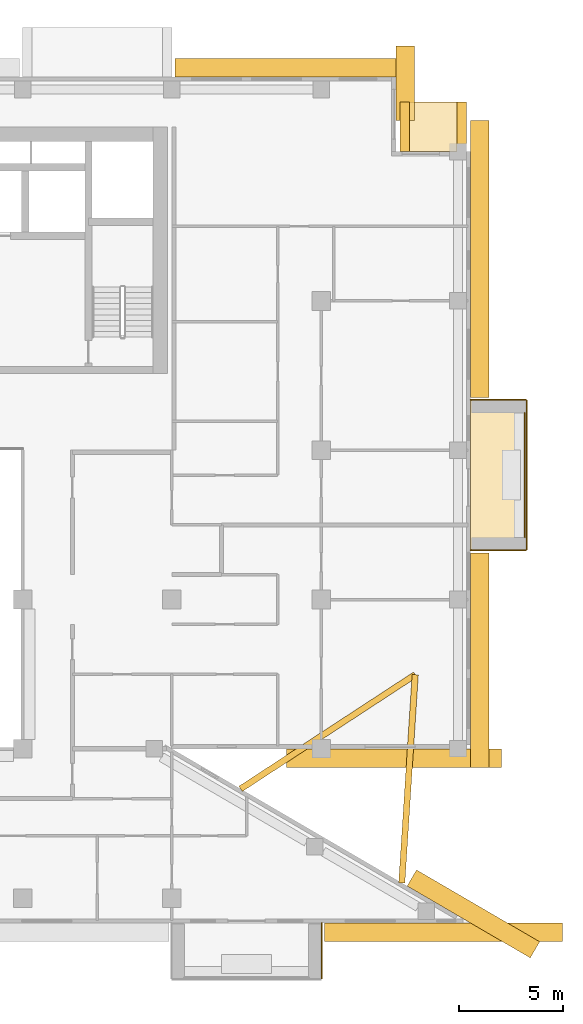
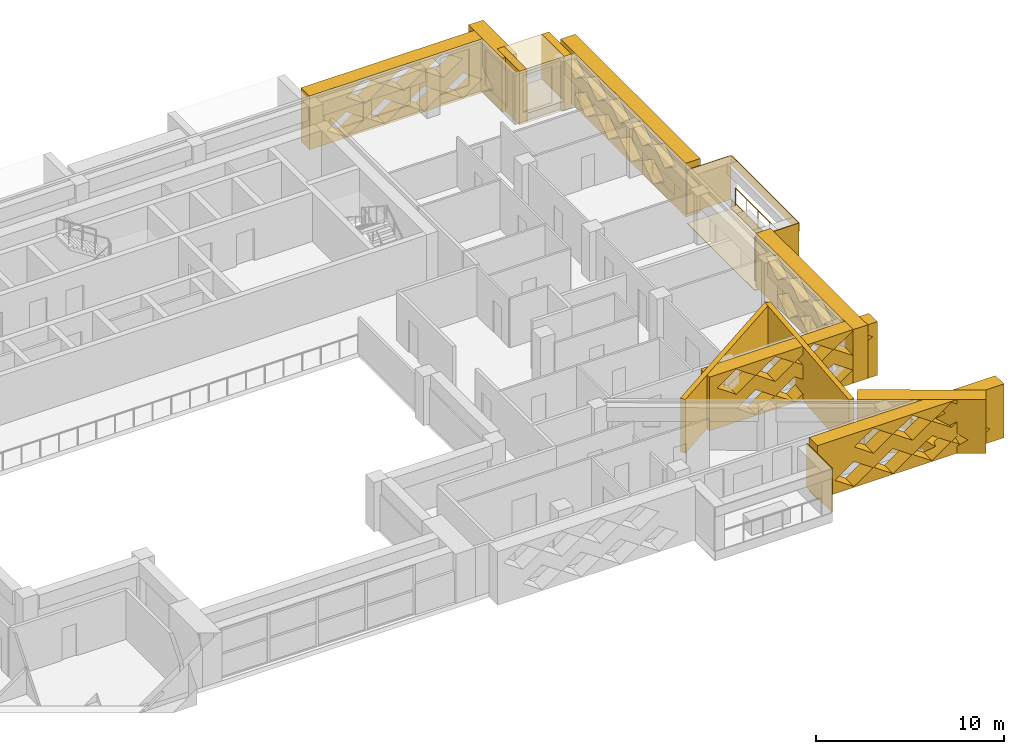
# One storey, part 20 of 20: 19 coverings, 1 railing.
"""IFC4 building model written with IfcOpenShell, lengths in metres."""

from ifc_helpers import new_model, si_unit, direction, frame, origin, origin_2d, place, context, subcontext, project, spatial, polyline, circle, outline, extrude, material, layer, layer_set, type_object, element, save


model = new_model("IFC4")

# Units and contexts
model_context = context("Model", 3, precision=1e-05, world=origin(), true_north=direction((0.0, 1.0)))
body_context = subcontext(model_context, "Body", "Model", "MODEL_VIEW")
ifc_project = project(units=[si_unit("LENGTHUNIT", "METRE"), si_unit("AREAUNIT", "SQUARE_METRE"), si_unit("VOLUMEUNIT", "CUBIC_METRE"), si_unit("PLANEANGLEUNIT", "RADIAN"), si_unit("MASSUNIT", "GRAM", prefix="KILO")], contexts=[model_context])

# Site, building, storey
site_placement = place(None, origin())
site = spatial("IfcSite", under=ifc_project, at=site_placement, CompositionType="ELEMENT")
building_placement = place(site_placement, origin())
building = spatial("IfcBuilding", under=site, at=building_placement, Name="Saffron Iwan Residences", CompositionType="ELEMENT")
storey_placement = place(building_placement, frame((0.0, 0.0, 178.0)))
storey = spatial("IfcBuildingStorey", under=building, at=storey_placement, Name="L47", CompositionType="ELEMENT", Elevation=178.0)

# Railing
ifc_material_1 = material(Name="Stainless steel 316", Category="steel")
railing_type = type_object("IfcRailingType", Name="BALCONY GUARD 1150", PredefinedType="GUARDRAIL", material=ifc_material_1)
railing_placement = place(storey_placement, frame((89.02490234375, 58.199951171875, 0.0)))
element("IfcRailing", 1, at=railing_placement, inside=storey, type_object=railing_type, Name="Balcony guard L47 F2-0", PredefinedType="GUARDRAIL", context=body_context, shape_type="SweptSolid", body=[
    extrude(circle(Radius=0.02392578125, at=origin_2d()), frame((0.0, 0.0, 1.1259765625), z_axis=(0.0, 1.0, 0.0), x_axis=(-1.0, 0.0, 0.0)), (0.0, 0.0, 1.0), 6.0),
    extrude(circle(Radius=0.02099609375, at=origin_2d()), origin(), (0.0, 0.0, 1.0), 1.101806640625),
    extrude(circle(Radius=0.02099609375, at=origin_2d()), frame((0.0, 1.199951171875, 0.0)), (0.0, 0.0, 1.0), 1.101806640625),
    extrude(circle(Radius=0.02099609375, at=origin_2d()), frame((0.0, 2.39990234375, 0.0)), (0.0, 0.0, 1.0), 1.101806640625),
    extrude(circle(Radius=0.02099609375, at=origin_2d()), frame((0.0, 3.60009765625, 0.0)), (0.0, 0.0, 1.0), 1.101806640625),
    extrude(circle(Radius=0.02099609375, at=origin_2d()), frame((0.0, 4.800048828125, 0.0)), (0.0, 0.0, 1.0), 1.101806640625),
    extrude(circle(Radius=0.02099609375, at=origin_2d()), frame((0.0, 6.0, 0.0)), (0.0, 0.0, 1.0), 1.101806640625),
])

# Coverings
ifc_material_2 = material(Name="Precast concrete C40/50 white painted", Category="concrete")
ifc_layer_1 = layer(ifc_material_2, 0.050048828125)
ifc_layer_set_1 = layer_set([ifc_layer_1], Name="Precast concrete C40/50 white painted")
covering_type_1 = type_object("IfcCoveringType", Name="FRAME SKIN PRECAST WHITE 50", PredefinedType="CLADDING", material=ifc_layer_set_1)
for number, where, name in (
    (2, (0.0, 0.0, -0.60009765625), "Frame skin slab edge L47 F2-0"),
    (3, (0.0, 0.0, 2.25), "Frame skin fascia L47 F2-0"),
):
    element("IfcCovering", number, at=place(storey_placement, frame(where)), inside=storey, type_object=covering_type_1, Name=name, PredefinedType="CLADDING", context=body_context, shape_type="SweptSolid", body=[
        extrude(outline(polyline([(89.14990234375, 57.60009765625), (89.14990234375, 64.800048828125), (89.10009765625, 64.800048828125), (89.10009765625, 57.60009765625), (89.14990234375, 57.60009765625)])), origin(), (0.0, 0.0, 1.0), 0.60009765625),
    ])
covering_1_placement = place(storey_placement, frame((0.0, 0.0, -0.64990234375)))
element("IfcCovering", 4, at=covering_1_placement, inside=storey, type_object=covering_type_1, Name="Frame skin soffit L47 F2-0", PredefinedType="CLADDING", context=body_context, shape_type="SweptSolid", body=[
    extrude(outline(polyline([(89.10009765625, 57.60009765625), (89.10009765625, 64.800048828125), (86.39990234375, 64.800048828125), (86.39990234375, 57.60009765625), (89.10009765625, 57.60009765625)])), origin(), (0.0, 0.0, 1.0), 0.0498046875),
])
covering_2_placement = place(storey_placement, origin())
element("IfcCovering", 5, at=covering_2_placement, inside=storey, type_object=covering_type_1, Name="Frame skin fin L47 F2-0a", PredefinedType="CLADDING", context=body_context, shape_type="SweptSolid", body=[
    extrude(outline(polyline([(89.10009765625, 57.550048828125), (89.10009765625, 57.60009765625), (86.39990234375, 57.60009765625), (86.39990234375, 57.550048828125), (89.10009765625, 57.550048828125)])), origin(), (0.0, 0.0, 1.0), 2.85009765625),
])
covering_3_placement = place(storey_placement, origin())
element("IfcCovering", 6, at=covering_3_placement, inside=storey, type_object=covering_type_1, Name="Frame skin fin L47 F2-0b", PredefinedType="CLADDING", context=body_context, shape_type="SweptSolid", body=[
    extrude(outline(polyline([(89.10009765625, 64.800048828125), (89.10009765625, 64.85009765625), (86.39990234375, 64.85009765625), (86.39990234375, 64.800048828125), (89.10009765625, 64.800048828125)])), origin(), (0.0, 0.0, 1.0), 2.85009765625),
])
covering_4_placement = place(storey_placement, origin())
element("IfcCovering", 7, at=covering_4_placement, inside=storey, type_object=covering_type_1, Name="Frame skin fin L47 11-1b", PredefinedType="CLADDING", context=body_context, shape_type="SweptSolid", body=[
    extrude(outline(polyline([(79.199951171875, 36.89990234375), (79.25, 36.89990234375), (79.25, 39.60009765625), (79.199951171875, 39.60009765625), (79.199951171875, 36.89990234375)])), origin(), (0.0, 0.0, 1.0), 2.85009765625),
])
ifc_material_3 = material(Name="Precast concrete C40/50", Category="concrete")
covering_type_2 = type_object("IfcCoveringType", Name="OUTER SKIN LATTICE SCREEN", PredefinedType="CLADDING", material=ifc_material_3)
covering_5_placement = place(storey_placement, frame((89.283935546875, 37.917724609375, -0.300048828125), z_axis=(0.503803550485, 0.863818257806, 0.0), x_axis=(-0.863818257806, 0.503803550485, 0.0)))
element("IfcCovering", 8, at=covering_5_placement, inside=storey, type_object=covering_type_2, Name="OUTER SKIN lattice screen L47 F0.0", PredefinedType="CLADDING", context=body_context, shape_type="SweptSolid", body=[
    extrude(outline(polyline([(0.0, 0.0), (6.874267578125, 0.0), (6.874267578125, 3.5), (0.0, 3.5), (0.0, 0.0)]), holes=[polyline([(0.958740234375, 0.875), (2.138671875, 0.06005859375), (3.318603515625, 0.875), (2.138671875, 1.68994140625), (0.958740234375, 0.875)]), polyline([(3.358642578125, 0.875), (4.538818359375, 0.06005859375), (5.71875, 0.875), (4.538818359375, 1.68994140625), (3.358642578125, 0.875)]), polyline([(2.15869140625, 2.625), (3.338623046875, 1.81005859375), (4.518798828125, 2.625), (3.338623046875, 3.43994140625), (2.15869140625, 2.625)])]), origin(), (0.0, 0.0, 1.0), 0.89990234375),
])
covering_6_placement = place(storey_placement, frame((77.538818359375, 48.0, -0.300048828125), z_axis=(0.0, -1.0, 0.0), x_axis=(1.0, 0.0, 0.0)))
element("IfcCovering", 9, at=covering_6_placement, inside=storey, type_object=covering_type_2, Name="OUTER SKIN lattice screen L47 F1.0", PredefinedType="CLADDING", context=body_context, shape_type="SweptSolid", body=[
    extrude(outline(polyline([(0.0, 0.0), (10.361328125, 0.0), (10.361328125, 3.5), (0.0, 3.5), (0.0, 0.0)]), holes=[polyline([(1.681396484375, 0.875), (2.861328125, 0.06005859375), (4.041259765625, 0.875), (2.861328125, 1.68994140625), (1.681396484375, 0.875)]), polyline([(4.081298828125, 0.875), (5.26123046875, 0.06005859375), (6.44140625, 0.875), (5.26123046875, 1.68994140625), (4.081298828125, 0.875)]), polyline([(6.481201171875, 0.875), (7.661376953125, 0.06005859375), (8.84130859375, 0.875), (7.661376953125, 1.68994140625), (6.481201171875, 0.875)]), polyline([(0.481201171875, 2.625), (1.661376953125, 1.81005859375), (2.84130859375, 2.625), (1.661376953125, 3.43994140625), (0.481201171875, 2.625)]), polyline([(2.88134765625, 2.625), (4.061279296875, 1.81005859375), (5.2412109375, 2.625), (4.061279296875, 3.43994140625), (2.88134765625, 2.625)]), polyline([(5.28125, 2.625), (6.461181640625, 1.81005859375), (7.641357421875, 2.625), (6.461181640625, 3.43994140625), (5.28125, 2.625)]), polyline([(7.681396484375, 2.625), (8.861328125, 1.81005859375), (10.041259765625, 2.625), (8.861328125, 3.43994140625), (7.681396484375, 2.625)])]), origin(), (0.0, 0.0, 1.0), 0.89990234375),
])
covering_7_placement = place(storey_placement, frame((86.39990234375, 47.10009765625, -0.300048828125), z_axis=(1.0, 0.0, 0.0), x_axis=(0.0, 1.0, 0.0)))
element("IfcCovering", 10, at=covering_7_placement, inside=storey, type_object=covering_type_2, Name="OUTER SKIN lattice screen L47 F2.0", PredefinedType="CLADDING", context=body_context, shape_type="SweptSolid", body=[
    extrude(outline(polyline([(0.0, 0.0), (10.35009765625, 0.0), (10.35009765625, 3.5), (0.0, 3.5), (0.0, 0.0)]), holes=[polyline([(0.919921875, 0.875), (2.10009765625, 0.06005859375), (3.280029296875, 0.875), (2.10009765625, 1.68994140625), (0.919921875, 0.875)]), polyline([(3.320068359375, 0.875), (4.5, 0.06005859375), (5.679931640625, 0.875), (4.5, 1.68994140625), (3.320068359375, 0.875)]), polyline([(5.719970703125, 0.875), (6.89990234375, 0.06005859375), (8.080078125, 0.875), (6.89990234375, 1.68994140625), (5.719970703125, 0.875)]), polyline([(2.1201171875, 2.625), (3.300048828125, 1.81005859375), (4.47998046875, 2.625), (3.300048828125, 3.43994140625), (2.1201171875, 2.625)]), polyline([(4.52001953125, 2.625), (5.699951171875, 1.81005859375), (6.8798828125, 2.625), (5.699951171875, 3.43994140625), (4.52001953125, 2.625)]), polyline([(6.919921875, 2.625), (8.10009765625, 1.81005859375), (9.280029296875, 2.625), (8.10009765625, 3.43994140625), (6.919921875, 2.625)])]), origin(), (0.0, 0.0, 1.0), 0.900146484375),
])
covering_8_placement = place(storey_placement, frame((86.39990234375, 64.949951171875, -0.300048828125), z_axis=(1.0, 0.0, 0.0), x_axis=(0.0, 1.0, 0.0)))
element("IfcCovering", 11, at=covering_8_placement, inside=storey, type_object=covering_type_2, Name="OUTER SKIN lattice screen L47 F2.1", PredefinedType="CLADDING", context=body_context, shape_type="SweptSolid", body=[
    extrude(outline(polyline([(0.0, 0.0), (13.35009765625, 0.0), (13.35009765625, 3.5), (0.0, 3.5), (0.0, 0.0)]), holes=[polyline([(2.27001953125, 0.875), (3.449951171875, 0.06005859375), (4.6298828125, 0.875), (3.449951171875, 1.68994140625), (2.27001953125, 0.875)]), polyline([(4.669921875, 0.875), (5.85009765625, 0.06005859375), (7.030029296875, 0.875), (5.85009765625, 1.68994140625), (4.669921875, 0.875)]), polyline([(7.070068359375, 0.875), (8.25, 0.06005859375), (9.429931640625, 0.875), (8.25, 1.68994140625), (7.070068359375, 0.875)]), polyline([(9.469970703125, 0.875), (10.64990234375, 0.06005859375), (11.830078125, 0.875), (10.64990234375, 1.68994140625), (9.469970703125, 0.875)]), polyline([(1.070068359375, 2.625), (2.25, 1.81005859375), (3.429931640625, 2.625), (2.25, 3.43994140625), (1.070068359375, 2.625)]), polyline([(3.469970703125, 2.625), (4.64990234375, 1.81005859375), (5.830078125, 2.625), (4.64990234375, 3.43994140625), (3.469970703125, 2.625)]), polyline([(5.8701171875, 2.625), (7.050048828125, 1.81005859375), (8.22998046875, 2.625), (7.050048828125, 3.43994140625), (5.8701171875, 2.625)]), polyline([(8.27001953125, 2.625), (9.449951171875, 1.81005859375), (10.6298828125, 2.625), (9.449951171875, 3.43994140625), (8.27001953125, 2.625)]), polyline([(10.669921875, 2.625), (11.85009765625, 1.81005859375), (13.030029296875, 2.625), (11.85009765625, 3.43994140625), (10.669921875, 2.625)])]), origin(), (0.0, 0.0, 1.0), 0.900146484375),
])
covering_9_placement = place(storey_placement, frame((82.800048828125, 78.300048828125, -0.300048828125), z_axis=(1.0, 0.0, 0.0), x_axis=(0.0, 1.0, 0.0)))
element("IfcCovering", 12, at=covering_9_placement, inside=storey, type_object=covering_type_2, Name="OUTER SKIN lattice screen L47 F4.0", PredefinedType="CLADDING", context=body_context, shape_type="SweptSolid", body=[
    extrude(outline(polyline([(0.0, 0.0), (3.60009765625, 0.0), (3.60009765625, 3.5), (0.0, 3.5), (0.0, 0.0)]), holes=[polyline([(0.919921875, 0.875), (2.10009765625, 0.06005859375), (3.280029296875, 0.875), (2.10009765625, 1.68994140625), (0.919921875, 0.875)])]), origin(), (0.0, 0.0, 1.0), 0.89990234375),
])
covering_10_placement = place(storey_placement, frame((83.699951171875, 80.39990234375, -0.300048828125), z_axis=(0.0, 1.0, 0.0), x_axis=(-1.0, 0.0, 0.0)))
element("IfcCovering", 13, at=covering_10_placement, inside=storey, type_object=covering_type_2, Name="OUTER SKIN lattice screen L47 F5.0", PredefinedType="CLADDING", context=body_context, shape_type="SweptSolid", body=[
    extrude(outline(polyline([(0.0, 0.0), (11.550048828125, 0.0), (11.550048828125, 3.5), (0.0, 3.5), (0.0, 0.0)]), holes=[polyline([(0.919921875, 0.875), (2.10009765625, 0.06005859375), (3.280029296875, 0.875), (2.10009765625, 1.68994140625), (0.919921875, 0.875)]), polyline([(3.320068359375, 0.875), (4.5, 0.06005859375), (5.679931640625, 0.875), (4.5, 1.68994140625), (3.320068359375, 0.875)]), polyline([(5.719970703125, 0.875), (6.89990234375, 0.06005859375), (8.080078125, 0.875), (6.89990234375, 1.68994140625), (5.719970703125, 0.875)]), polyline([(8.1201171875, 0.875), (9.300048828125, 0.06005859375), (10.47998046875, 0.875), (9.300048828125, 1.68994140625), (8.1201171875, 0.875)]), polyline([(2.1201171875, 2.625), (3.300048828125, 1.81005859375), (4.47998046875, 2.625), (3.300048828125, 3.43994140625), (2.1201171875, 2.625)]), polyline([(4.52001953125, 2.625), (5.699951171875, 1.81005859375), (6.8798828125, 2.625), (5.699951171875, 3.43994140625), (4.52001953125, 2.625)]), polyline([(6.919921875, 2.625), (8.10009765625, 1.81005859375), (9.280029296875, 2.625), (8.10009765625, 3.43994140625), (6.919921875, 2.625)])]), origin(), (0.0, 0.0, 1.0), 0.900146484375),
])
covering_11_placement = place(storey_placement, frame((79.35009765625, 39.60009765625, -0.300048828125), z_axis=(0.0, -1.0, 0.0), x_axis=(1.0, 0.0, 0.0)))
element("IfcCovering", 14, at=covering_11_placement, inside=storey, type_object=covering_type_2, Name="OUTER SKIN lattice screen L47 F11.3", PredefinedType="CLADDING", context=body_context, shape_type="SweptSolid", body=[
    extrude(outline(polyline([(0.0, 0.0), (11.48876953125, 0.0), (11.48876953125, 3.5), (0.0, 3.5), (0.0, 0.0)]), holes=[polyline([(1.070068359375, 0.875), (2.25, 0.06005859375), (3.429931640625, 0.875), (2.25, 1.68994140625), (1.070068359375, 0.875)]), polyline([(3.469970703125, 0.875), (4.64990234375, 0.06005859375), (5.830078125, 0.875), (4.64990234375, 1.68994140625), (3.469970703125, 0.875)]), polyline([(5.8701171875, 0.875), (7.050048828125, 0.06005859375), (8.22998046875, 0.875), (7.050048828125, 1.68994140625), (5.8701171875, 0.875)]), polyline([(8.27001953125, 0.875), (9.449951171875, 0.06005859375), (10.6298828125, 0.875), (9.449951171875, 1.68994140625), (8.27001953125, 0.875)]), polyline([(2.27001953125, 2.625), (3.449951171875, 1.81005859375), (4.6298828125, 2.625), (3.449951171875, 3.43994140625), (2.27001953125, 2.625)]), polyline([(4.669921875, 2.625), (5.85009765625, 1.81005859375), (7.030029296875, 2.625), (5.85009765625, 3.43994140625), (4.669921875, 2.625)]), polyline([(7.070068359375, 2.625), (8.25, 1.81005859375), (9.429931640625, 2.625), (8.25, 3.43994140625), (7.070068359375, 2.625)])]), origin(), (0.0, 0.0, 1.0), 0.900146484375),
])
ifc_layer_2 = layer(ifc_material_2, 0.300048828125)
ifc_layer_set_2 = layer_set([ifc_layer_2], Name="Precast concrete C40/50 white painted")
covering_type_3 = type_object("IfcCoveringType", Name="PROW NOSE BLADE PRECAST WHITE", PredefinedType="CLADDING", material=ifc_layer_set_2)
covering_12_placement = place(storey_placement, frame((0.0, 0.0, -0.300048828125)))
element("IfcCovering", 15, at=covering_12_placement, inside=storey, type_object=covering_type_3, Name="Prow nose blade L47 a", PredefinedType="CLADDING", context=body_context, shape_type="SweptSolid", body=[
    extrude(outline(polyline([(83.23681640625, 41.52294921875), (83.884521484375, 51.564453125), (83.585205078125, 51.583740234375), (82.937255859375, 41.542236328125), (83.23681640625, 41.52294921875)])), origin(), (0.0, 0.0, 1.0), 3.5),
])
covering_13_placement = place(storey_placement, frame((0.0, 0.0, -0.300048828125)))
element("IfcCovering", 16, at=covering_13_placement, inside=storey, type_object=covering_type_3, Name="Prow nose blade L47 b", PredefinedType="CLADDING", context=body_context, shape_type="SweptSolid", body=[
    extrude(outline(polyline([(75.39501953125, 45.94189453125), (83.81689453125, 51.448486328125), (83.65283203125, 51.69970703125), (75.23095703125, 46.193115234375), (75.39501953125, 45.94189453125)])), origin(), (0.0, 0.0, 1.0), 3.5),
])
covering_type_4 = type_object("IfcCoveringType", Name="WHITE SUN FRAME PRECAST", PredefinedType="CLADDING", material=ifc_material_2)
for number, where, z_axis, x_axis, name in (
    (17, (86.199951171875, 76.800048828125, -0.300048828125), (0.0, 1.0, 0.0), (-1.0, 0.0, 0.0), "Sun frame L47 F3 0.2a"),
    (18, (83.449951171875, 76.800048828125, -0.300048828125), (0.0, 1.0, 0.0), (-1.0, 0.0, 0.0), "Sun frame L47 F3 0.2b"),
):
    element("IfcCovering", number, at=place(storey_placement, frame(where, z_axis=z_axis, x_axis=x_axis)), inside=storey, type_object=covering_type_4, Name=name, PredefinedType="CLADDING", context=body_context, shape_type="SweptSolid", body=[
        extrude(outline(polyline([(0.0, 0.0), (0.449951171875, 0.0), (0.449951171875, 3.5), (0.0, 3.5), (0.0, 0.0)])), origin(), (0.0, 0.0, 1.0), 2.39990234375),
    ])
for number, where, z_axis, x_axis, name in (
    (19, (85.75, 76.800048828125, 2.60009765625), (0.0, 1.0, 0.0), (-1.0, 0.0, 0.0), "Sun frame L47 F3 0.2h"),
    (20, (85.75, 76.800048828125, -0.300048828125), (0.0, 1.0, 0.0), (-1.0, 0.0, 0.0), "Sun frame L47 F3 0.2s"),
):
    element("IfcCovering", number, at=place(storey_placement, frame(where, z_axis=z_axis, x_axis=x_axis)), inside=storey, type_object=covering_type_4, Name=name, PredefinedType="CLADDING", context=body_context, shape_type="SweptSolid", body=[
        extrude(outline(polyline([(0.0, 0.0), (2.300048828125, 0.0), (2.300048828125, 0.60009765625), (0.0, 0.60009765625), (0.0, 0.0)])), origin(), (0.0, 0.0, 1.0), 2.39990234375),
    ])

save(model, "model.ifc")
